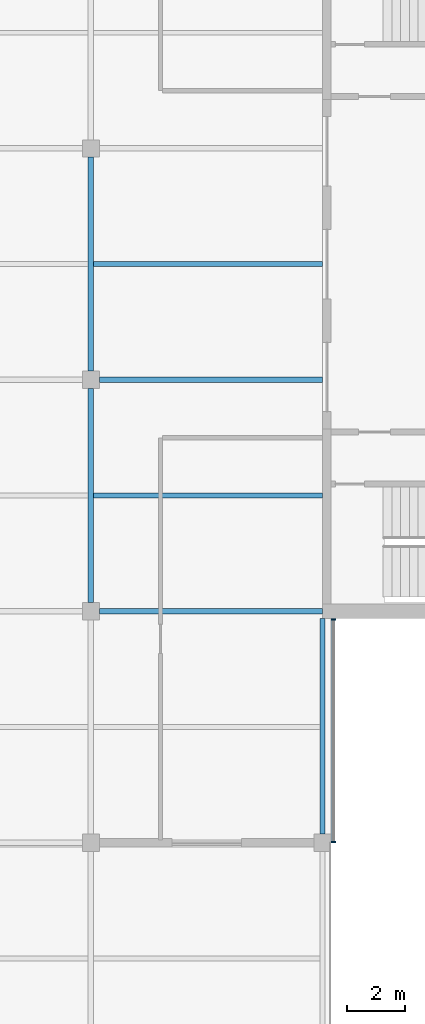
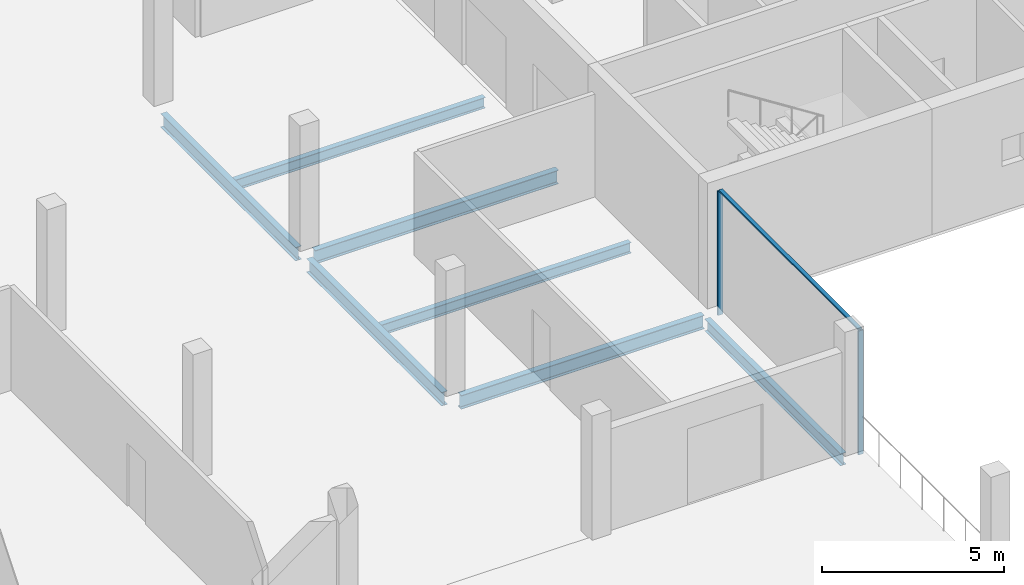
# One storey, part 4 of 12: 7 beams, 3 members, 1 element without a shape of its own.
"""IFC4 building model written with IfcOpenShell, lengths in metres."""

from ifc_helpers import new_model, si_unit, direction, frame, origin, origin_2d, place, context, subcontext, project, spatial, rectangle, i_section, extrude, material, material_profile, profile_set, type_object, element, aggregate, save


model = new_model("IFC4")

# Units and contexts
model_context = context("Model", 3, precision=1e-05, world=origin(), true_north=direction((0.0, 1.0)))
body_context = subcontext(model_context, "Body", "Model", "MODEL_VIEW")
ifc_project = project(units=[si_unit("LENGTHUNIT", "METRE"), si_unit("AREAUNIT", "SQUARE_METRE"), si_unit("VOLUMEUNIT", "CUBIC_METRE"), si_unit("PLANEANGLEUNIT", "RADIAN"), si_unit("MASSUNIT", "GRAM", prefix="KILO")], contexts=[model_context])

# Site, building, storey
site_placement = place(None, origin())
site = spatial("IfcSite", under=ifc_project, at=site_placement, CompositionType="ELEMENT")
building_placement = place(site_placement, origin())
building = spatial("IfcBuilding", under=site, at=building_placement, Name="Crosswind Convention Tower", CompositionType="ELEMENT")
storey_placement = place(building_placement, frame((0.0, 0.0, 332.300048828125)))
storey = spatial("IfcBuildingStorey", under=building, at=storey_placement, Name="L72", CompositionType="ELEMENT", Elevation=332.300048828125)

# Beams
ifc_material_1 = material(Name="Steel S355", Category="steel")
ifc_material_profile_1 = material_profile(ifc_material_1, i_section(OverallWidth=0.177734375, OverallDepth=0.406494140625, WebThickness=0.0078125, FlangeThickness=0.0126953125, FilletRadius=0.01025390625, at=origin_2d()), Name="UB 406x178x60")
ifc_profile_set_1 = profile_set([ifc_material_profile_1], Name="Steel S355")
beam_type_1 = type_object("IfcBeamType", Name="Edge beam UB 406x178x60", PredefinedType="SPANDREL", material=ifc_profile_set_1)
beam_placement = place(storey_placement, frame((137.0, 80.300048828125, -0.503173828125), z_axis=(0.0, 1.0, 0.0), x_axis=(-1.0, 0.0, 0.0)))
element("IfcBeam", 1, at=beam_placement, inside=storey, type_object=beam_type_1, Name="B15 L72 edge beam 12", PredefinedType="SPANDREL", context=body_context, shape_type="SweptSolid", body=[
    extrude(i_section(OverallWidth=0.177734375, OverallDepth=0.406494140625, WebThickness=0.0078125, FlangeThickness=0.0126953125, FilletRadius=0.01025390625, at=origin_2d()), origin(), (0.0, 0.0, 1.0), 7.449951171875),
])
ifc_material_profile_2 = material_profile(ifc_material_1, i_section(OverallWidth=0.18994140625, OverallDepth=0.45361328125, WebThickness=0.008544921875, FlangeThickness=0.0126953125, FilletRadius=0.01025390625, at=origin_2d()), Name="UB 457x191x67")
ifc_profile_set_2 = profile_set([ifc_material_profile_2], Name="Steel S355")
beam_type_2 = type_object("IfcBeamType", Name="Girder UB 457x191x67", PredefinedType="BEAM", material=ifc_profile_set_2)
for number, where, z_axis, x_axis, name in (
    (2, (129.0, 88.300048828125, -0.52685546875), (0.0, 1.0, 0.0), (-1.0, 0.0, 0.0), "B1 L72 girder 18"),
    (3, (129.0, 96.300048828125, -0.52685546875), (0.0, 1.0, 0.0), (-1.0, 0.0, 0.0), "B1 L72 girder 19"),
):
    element("IfcBeam", number, at=place(storey_placement, frame(where, z_axis=z_axis, x_axis=x_axis)), inside=storey, type_object=beam_type_2, Name=name, PredefinedType="BEAM", context=body_context, shape_type="SweptSolid", body=[
        extrude(i_section(OverallWidth=0.18994140625, OverallDepth=0.45361328125, WebThickness=0.008544921875, FlangeThickness=0.0126953125, FilletRadius=0.01025390625, at=origin_2d()), origin(), (0.0, 0.0, 1.0), 7.39990234375),
    ])
ifc_material_profile_3 = material_profile(ifc_material_1, i_section(OverallWidth=0.1904296875, OverallDepth=0.457275390625, WebThickness=0.009033203125, FlangeThickness=0.014404296875, FilletRadius=0.01025390625, at=origin_2d()), Name="UB 457x191x75")
ifc_profile_set_3 = profile_set([ifc_material_profile_3], Name="Steel S355")
beam_type_3 = type_object("IfcBeamType", Name="Girder at core wall UB 457x191x75", PredefinedType="BEAM", material=ifc_profile_set_3)
for number, where, z_axis, x_axis, name in (
    (4, (129.300048828125, 88.0, -0.528564453125), (1.0, 0.0, 0.0), (0.0, 1.0, 0.0), "B22 L72 girder at core wall 5"),
    (5, (129.300048828125, 96.0, -0.528564453125), (1.0, 0.0, 0.0), (0.0, 1.0, 0.0), "B22 L72 girder at core wall 6"),
):
    element("IfcBeam", number, at=place(storey_placement, frame(where, z_axis=z_axis, x_axis=x_axis)), inside=storey, type_object=beam_type_3, Name=name, PredefinedType="BEAM", context=body_context, shape_type="SweptSolid", body=[
        extrude(i_section(OverallWidth=0.1904296875, OverallDepth=0.457275390625, WebThickness=0.009033203125, FlangeThickness=0.014404296875, FilletRadius=0.01025390625, at=origin_2d()), origin(), (0.0, 0.0, 1.0), 7.699951171875),
    ])

# Curtain wall, members
ifc_material_2 = material(Name="Aluminium unitised curtain wall", Category="aluminium")
curtain_wall_type = type_object("IfcCurtainWallType", Name="CORE END SLOT WALL 160", PredefinedType="USERDEFINED", material=ifc_material_2)
curtain_wall_placement = place(storey_placement, origin())
curtain_wall = element("IfcCurtainWall", 6, at=curtain_wall_placement, inside=storey, type_object=curtain_wall_type, Name="CW6 L72 S-E.1-2 slot", ObjectType="UNITISED", PredefinedType="USERDEFINED")
ifc_material_3 = material(Name="Aluminium mullion", Category="aluminium")
ifc_material_profile_4 = material_profile(ifc_material_3, rectangle(XDim=0.159912109375, YDim=0.050048828125, at=origin_2d()), Name="AL 160X50")
ifc_profile_set_4 = profile_set([ifc_material_profile_4], Name="Aluminium mullion")
member_type_1 = type_object("IfcMemberType", Name="MULLION 50X160", PredefinedType="MULLION", material=ifc_profile_set_4)
member_1_placement = place(storey_placement, frame((137.3798828125, 80.02490234375, -0.300048828125), z_axis=(0.0, 0.0, 1.0), x_axis=(1.0, 0.0, 0.0)))
member_1 = element("IfcMember", 7, at=member_1_placement, type_object=member_type_1, Name="CW6 mullion 1", PredefinedType="MULLION", context=body_context, shape_type="SweptSolid", body=[
    extrude(rectangle(XDim=0.159912109375, YDim=0.050048828125, at=origin_2d()), origin(), (0.0, 0.0, 1.0), 4.14990234375),
])
member_2_placement = place(storey_placement, frame((137.3798828125, 87.72509765625, -0.300048828125), z_axis=(0.0, 0.0, 1.0), x_axis=(1.0, 0.0, 0.0)))
member_2 = element("IfcMember", 8, at=member_2_placement, type_object=member_type_1, Name="CW6 mullion 2", PredefinedType="MULLION", context=body_context, shape_type="SweptSolid", body=[
    extrude(rectangle(XDim=0.159912109375, YDim=0.050048828125, at=origin_2d()), origin(), (0.0, 0.0, 1.0), 4.14990234375),
])

# Beams
ifc_material_profile_5 = material_profile(ifc_material_1, i_section(OverallWidth=0.17138671875, OverallDepth=0.355712890625, WebThickness=0.00732421875, FlangeThickness=0.011474609375, FilletRadius=0.01025390625, at=origin_2d()), Name="UB 356x171x51")
ifc_profile_set_5 = profile_set([ifc_material_profile_5], Name="Steel S355")
beam_type_4 = type_object("IfcBeamType", Name="Secondary beam UB 356x171x51", PredefinedType="JOIST", material=ifc_profile_set_5)
for number, where, z_axis, x_axis, name in (
    (9, (129.094970703125, 92.0, -0.477783203125), (1.0, 0.0, 0.0), (0.0, 1.0, 0.0), "B8 L72 secondary beam 17"),
    (10, (129.094970703125, 100.0, -0.477783203125), (1.0, 0.0, 0.0), (0.0, 1.0, 0.0), "B8 L72 secondary beam 18"),
):
    element("IfcBeam", number, at=place(storey_placement, frame(where, z_axis=z_axis, x_axis=x_axis)), inside=storey, type_object=beam_type_4, Name=name, PredefinedType="JOIST", context=body_context, shape_type="SweptSolid", body=[
        extrude(i_section(OverallWidth=0.17138671875, OverallDepth=0.355712890625, WebThickness=0.00732421875, FlangeThickness=0.011474609375, FilletRadius=0.01025390625, at=origin_2d()), origin(), (0.0, 0.0, 1.0), 7.905029296875),
    ])

# Member
ifc_material_4 = material(Name="Aluminium transom", Category="aluminium")
ifc_material_profile_6 = material_profile(ifc_material_4, rectangle(XDim=0.1201171875, YDim=0.050048828125, at=origin_2d()), Name="AL 120X50")
ifc_profile_set_6 = profile_set([ifc_material_profile_6], Name="Aluminium transom")
member_type_2 = type_object("IfcMemberType", Name="TRANSOM 50X120", PredefinedType="USERDEFINED", material=ifc_profile_set_6)
member_3_placement = place(storey_placement, frame((137.3798828125, 80.050048828125, 3.875), z_axis=(0.0, 1.0, 0.0), x_axis=(-1.0, 0.0, 0.0)))
member_3 = element("IfcMember", 11, at=member_3_placement, type_object=member_type_2, Name="CW6 transom", ObjectType="TRANSOM", PredefinedType="USERDEFINED", context=body_context, shape_type="SweptSolid", body=[
    extrude(rectangle(XDim=0.1201171875, YDim=0.050048828125, at=origin_2d()), origin(), (0.0, 0.0, 1.0), 7.64990234375),
])

aggregate(curtain_wall, [member_1, member_2, member_3])

save(model, "model.ifc")
